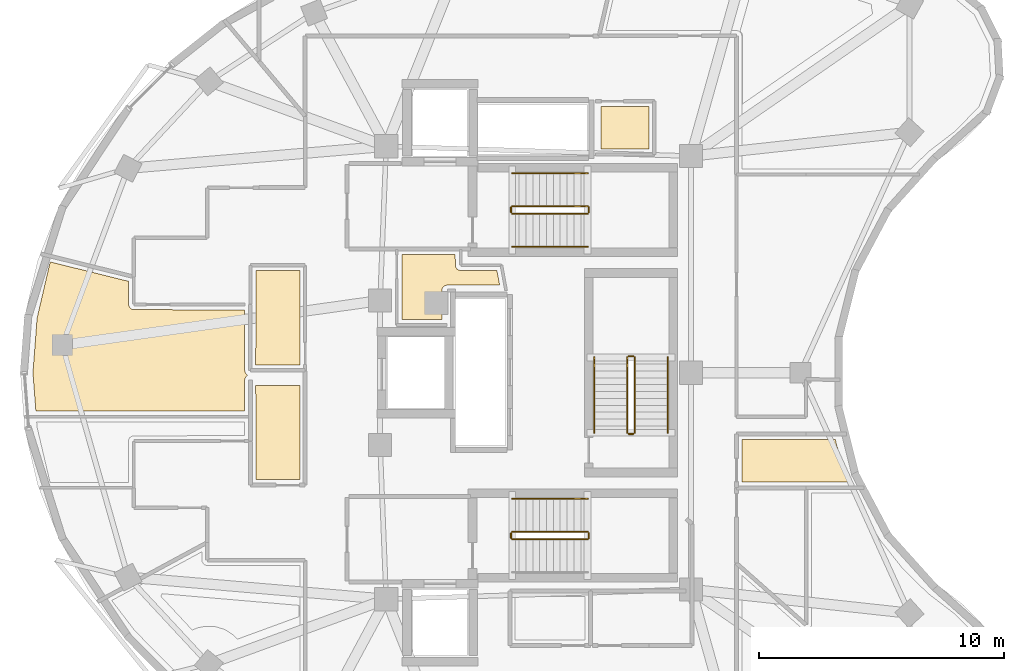
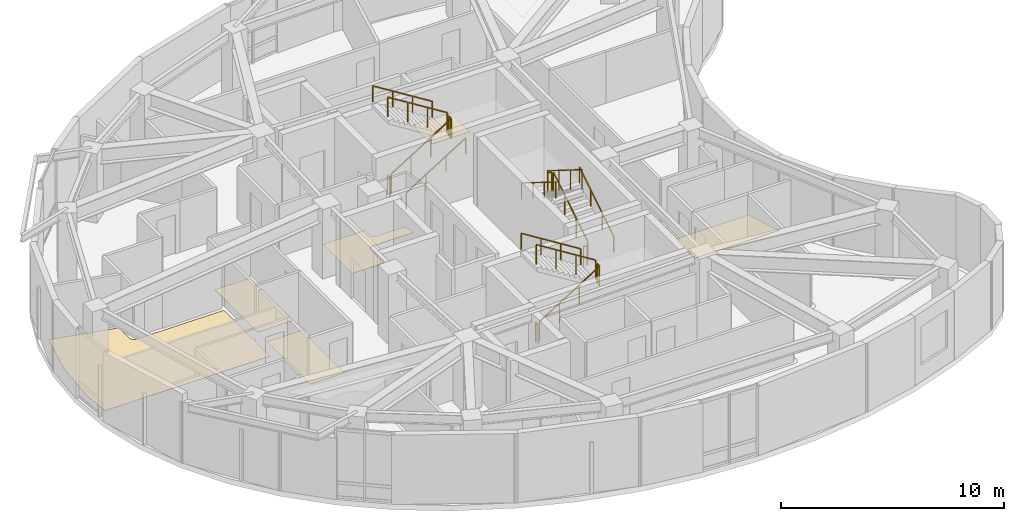
# One storey, part 11 of 12: 17 railings, 6 coverings.
"""IFC4 building model written with IfcOpenShell, lengths in metres."""

from ifc_helpers import new_model, si_unit, direction, frame, origin, origin_2d, place, context, subcontext, project, spatial, polyline, rectangle, outline, extrude, material, layer, layer_set, type_object, element, save


model = new_model("IFC4")

# Units and contexts
model_context = context("Model", 3, precision=1e-05, world=origin(), true_north=direction((0.0, 1.0)))
body_context = subcontext(model_context, "Body", "Model", "MODEL_VIEW")
ifc_project = project(units=[si_unit("LENGTHUNIT", "METRE"), si_unit("AREAUNIT", "SQUARE_METRE"), si_unit("VOLUMEUNIT", "CUBIC_METRE"), si_unit("PLANEANGLEUNIT", "RADIAN"), si_unit("MASSUNIT", "GRAM", prefix="KILO")], contexts=[model_context])

# Site, building, storey
site_placement = place(None, origin())
site = spatial("IfcSite", under=ifc_project, at=site_placement, CompositionType="ELEMENT")
building_placement = place(site_placement, origin())
building = spatial("IfcBuilding", under=site, at=building_placement, Name="Korentha Bioscience Tower", CompositionType="ELEMENT")
storey_placement = place(building_placement, frame((0.0, 0.0, 282.60009765625)))
storey = spatial("IfcBuildingStorey", under=building, at=storey_placement, Name="L65", CompositionType="ELEMENT", Elevation=282.60009765625)

# Coverings
ifc_material_1 = material(Name="Vitrified Porcelain Tile", Category="ceramic")
ifc_layer_1 = layer(ifc_material_1, 0.014892578125, Name="Vitrified Porcelain Tile")
ifc_layer_set_1 = layer_set([ifc_layer_1], Name="Vitrified Porcelain Tile (FL-CER)")
covering_type_1 = type_object("IfcCoveringType", Name="Anti-Slip Ceramic Wet-Room Tile Flooring 15", PredefinedType="FLOORING", material=ifc_layer_set_1)
covering_1_placement = place(storey_placement, origin())
element("IfcCovering", 1, at=covering_1_placement, inside=storey, type_object=covering_type_1, Name="L65 Accessible Staff WC Floor Finish", PredefinedType="FLOORING", context=body_context, shape_type="SweptSolid", body=[
    extrude(outline(polyline([(33.8701171875, 36.1298828125), (33.8701171875, 37.8701171875), (35.830078125, 37.8701171875), (35.830078125, 36.1298828125), (33.8701171875, 36.1298828125)])), origin(), (0.0, 0.0, 1.0), 0.014892578125),
])
covering_2_placement = place(storey_placement, origin())
element("IfcCovering", 2, at=covering_2_placement, inside=storey, type_object=covering_type_1, Name="L65 Reclaimed Bank-2 Accessible Staff WC Floor Finish", PredefinedType="FLOORING", context=body_context, shape_type="SweptSolid", body=[
    extrude(outline(polyline([(19.77001953125, 27.320068359375), (19.780029296875, 31.169921875), (21.570068359375, 31.169921875), (21.570068359375, 27.320068359375), (19.77001953125, 27.320068359375)])), origin(), (0.0, 0.0, 1.0), 0.014892578125),
])

# Railings
ifc_material_2 = material(Name="Stainless Steel 304", Category="steel")
railing_type_1 = type_object("IfcRailingType", Name="Brushed Stainless Stair Handrail 900", PredefinedType="HANDRAIL", material=ifc_material_2)
railing_1_placement = place(storey_placement, frame((30.25, 32.14990234375, 0.1748046875)))
element("IfcRailing", 3, at=railing_1_placement, inside=storey, type_object=railing_type_1, Name="L65 ST-1 stair handrail 1", PredefinedType="HANDRAIL", context=body_context, shape_type="SweptSolid", body=[
    extrude(rectangle(XDim=0.048095703125, YDim=0.048095703125, at=origin_2d()), frame((0.0, 0.0, 0.8759765625), z_axis=(0.847998304005, 0.0, 0.529998940003), x_axis=(0.0, 1.0, 0.0)), (0.0, 0.0, 1.0), 3.632080078125),
    extrude(rectangle(XDim=0.0419921875, YDim=0.0419921875, at=origin_2d()), origin(), (0.0, 0.0, 1.0), 0.851806640625),
    extrude(rectangle(XDim=0.0419921875, YDim=0.0419921875, at=origin_2d()), frame((1.026611328125, 0.0, 0.6416015625)), (0.0, 0.0, 1.0), 0.851806640625),
    extrude(rectangle(XDim=0.0419921875, YDim=0.0419921875, at=origin_2d()), frame((2.053466796875, 0.0, 1.283447265625)), (0.0, 0.0, 1.0), 0.851806640625),
    extrude(rectangle(XDim=0.0419921875, YDim=0.0419921875, at=origin_2d()), frame((3.080078125, 0.0, 1.925048828125)), (0.0, 0.0, 1.0), 0.851806640625),
])
for number, where, name in (
    (4, (33.330078125, 35.14990234375, 2.27490234375), "L65 ST-1 stair handrail 2"),
    (5, (33.330078125, 21.85009765625, 2.27490234375), "L65 ST-2 stair handrail 2"),
):
    element("IfcRailing", number, at=place(storey_placement, frame(where)), inside=storey, type_object=railing_type_1, Name=name, PredefinedType="HANDRAIL", context=body_context, shape_type="SweptSolid", body=[
        extrude(rectangle(XDim=0.048095703125, YDim=0.048095703125, at=origin_2d()), frame((0.0, 0.0, 0.8759765625), z_axis=(-0.847998304005, 0.0, 0.529998940003), x_axis=(0.0, -1.0, 0.0)), (0.0, 0.0, 1.0), 3.632080078125),
        extrude(rectangle(XDim=0.0419921875, YDim=0.0419921875, at=origin_2d()), origin(), (0.0, 0.0, 1.0), 0.851806640625),
        extrude(rectangle(XDim=0.0419921875, YDim=0.0419921875, at=origin_2d()), frame((-1.026611328125, 0.0, 0.6416015625)), (0.0, 0.0, 1.0), 0.851806640625),
        extrude(rectangle(XDim=0.0419921875, YDim=0.0419921875, at=origin_2d()), frame((-2.053466796875, 0.0, 1.283447265625)), (0.0, 0.0, 1.0), 0.851806640625),
        extrude(rectangle(XDim=0.0419921875, YDim=0.0419921875, at=origin_2d()), frame((-3.080078125, 0.0, 1.925048828125)), (0.0, 0.0, 1.0), 0.851806640625),
    ])
railing_2_placement = place(storey_placement, frame((36.60009765625, 24.550048828125, 0.1748046875)))
element("IfcRailing", 6, at=railing_2_placement, inside=storey, type_object=railing_type_1, Name="L65 ST-3 stair handrail 1", PredefinedType="HANDRAIL", context=body_context, shape_type="SweptSolid", body=[
    extrude(rectangle(XDim=0.048095703125, YDim=0.048095703125, at=origin_2d()), frame((0.0, 0.0, 0.8759765625), z_axis=(0.0, 0.847979421464, 0.530029150871), x_axis=(-1.0, 0.0, 0.0)), (0.0, 0.0, 1.0), 3.632080078125),
    extrude(rectangle(XDim=0.0419921875, YDim=0.0419921875, at=origin_2d()), origin(), (0.0, 0.0, 1.0), 0.851806640625),
    extrude(rectangle(XDim=0.0419921875, YDim=0.0419921875, at=origin_2d()), frame((0.0, 1.026611328125, 0.6416015625)), (0.0, 0.0, 1.0), 0.851806640625),
    extrude(rectangle(XDim=0.0419921875, YDim=0.0419921875, at=origin_2d()), frame((0.0, 2.05322265625, 1.283447265625)), (0.0, 0.0, 1.0), 0.851806640625),
    extrude(rectangle(XDim=0.0419921875, YDim=0.0419921875, at=origin_2d()), frame((0.0, 3.079833984375, 1.925048828125)), (0.0, 0.0, 1.0), 0.851806640625),
])
railing_3_placement = place(storey_placement, frame((33.60009765625, 27.6298828125, 2.27490234375)))
element("IfcRailing", 7, at=railing_3_placement, inside=storey, type_object=railing_type_1, Name="L65 ST-3 stair handrail 2", PredefinedType="HANDRAIL", context=body_context, shape_type="SweptSolid", body=[
    extrude(rectangle(XDim=0.048095703125, YDim=0.048095703125, at=origin_2d()), frame((0.0, 0.0, 0.8759765625), z_axis=(0.0, -0.847979421464, 0.530029150871), x_axis=(1.0, 0.0, 0.0)), (0.0, 0.0, 1.0), 3.632080078125),
    extrude(rectangle(XDim=0.0419921875, YDim=0.0419921875, at=origin_2d()), origin(), (0.0, 0.0, 1.0), 0.851806640625),
    extrude(rectangle(XDim=0.0419921875, YDim=0.0419921875, at=origin_2d()), frame((0.0, -1.026611328125, 0.6416015625)), (0.0, 0.0, 1.0), 0.851806640625),
    extrude(rectangle(XDim=0.0419921875, YDim=0.0419921875, at=origin_2d()), frame((0.0, -2.05322265625, 1.283447265625)), (0.0, 0.0, 1.0), 0.851806640625),
    extrude(rectangle(XDim=0.0419921875, YDim=0.0419921875, at=origin_2d()), frame((0.0, -3.079833984375, 1.925048828125)), (0.0, 0.0, 1.0), 0.851806640625),
])
ifc_material_3 = material(Name="Painted Steel S275", Category="steel")
railing_type_2 = type_object("IfcRailingType", Name="Painted Steel Stair Well Guardrail 1100", PredefinedType="GUARDRAIL", material=ifc_material_3)
railing_4_placement = place(storey_placement, frame((30.25, 33.5, 0.1748046875)))
element("IfcRailing", 8, at=railing_4_placement, inside=storey, type_object=railing_type_2, Name="L65 ST-1 stair guard 1", PredefinedType="GUARDRAIL", context=body_context, shape_type="SweptSolid", body=[
    extrude(rectangle(XDim=0.048095703125, YDim=0.048095703125, at=origin_2d()), frame((0.0, 0.0, 1.076171875), z_axis=(0.847998304005, 0.0, 0.529998940003), x_axis=(0.0, 1.0, 0.0)), (0.0, 0.0, 1.0), 3.632080078125),
    extrude(rectangle(XDim=0.0419921875, YDim=0.0419921875, at=origin_2d()), origin(), (0.0, 0.0, 1.0), 1.052001953125),
    extrude(rectangle(XDim=0.0419921875, YDim=0.0419921875, at=origin_2d()), frame((1.026611328125, 0.0, 0.6416015625)), (0.0, 0.0, 1.0), 1.052001953125),
    extrude(rectangle(XDim=0.0419921875, YDim=0.0419921875, at=origin_2d()), frame((2.053466796875, 0.0, 1.283447265625)), (0.0, 0.0, 1.0), 1.052001953125),
    extrude(rectangle(XDim=0.0419921875, YDim=0.0419921875, at=origin_2d()), frame((3.080078125, 0.0, 1.925048828125)), (0.0, 0.0, 1.0), 1.052001953125),
])
railing_5_placement = place(storey_placement, frame((33.3798828125, 33.550048828125, 2.099853515625)))
element("IfcRailing", 9, at=railing_5_placement, inside=storey, type_object=railing_type_2, Name="L65 ST-1 stair guard 2", PredefinedType="GUARDRAIL", context=body_context, shape_type="SweptSolid", body=[
    extrude(rectangle(XDim=0.048095703125, YDim=0.048095703125, at=origin_2d()), frame((0.0, 0.0, 1.076171875), z_axis=(0.0, 1.0, 0.0), x_axis=(-1.0, 0.0, 0.0)), (0.0, 0.0, 1.0), 0.199951171875),
    extrude(rectangle(XDim=0.0419921875, YDim=0.0419921875, at=origin_2d()), origin(), (0.0, 0.0, 1.0), 1.052001953125),
    extrude(rectangle(XDim=0.0419921875, YDim=0.0419921875, at=origin_2d()), frame((0.0, 0.199951171875, 0.0)), (0.0, 0.0, 1.0), 1.052001953125),
])
railing_6_placement = place(storey_placement, frame((33.330078125, 33.800048828125, 2.27490234375)))
element("IfcRailing", 10, at=railing_6_placement, inside=storey, type_object=railing_type_2, Name="L65 ST-1 stair guard 3", PredefinedType="GUARDRAIL", context=body_context, shape_type="SweptSolid", body=[
    extrude(rectangle(XDim=0.048095703125, YDim=0.048095703125, at=origin_2d()), frame((0.0, 0.0, 1.076171875), z_axis=(-0.847998304005, 0.0, 0.529998940003), x_axis=(0.0, -1.0, 0.0)), (0.0, 0.0, 1.0), 3.632080078125),
    extrude(rectangle(XDim=0.0419921875, YDim=0.0419921875, at=origin_2d()), origin(), (0.0, 0.0, 1.0), 1.052001953125),
    extrude(rectangle(XDim=0.0419921875, YDim=0.0419921875, at=origin_2d()), frame((-1.026611328125, 0.0, 0.6416015625)), (0.0, 0.0, 1.0), 1.052001953125),
    extrude(rectangle(XDim=0.0419921875, YDim=0.0419921875, at=origin_2d()), frame((-2.053466796875, 0.0, 1.283447265625)), (0.0, 0.0, 1.0), 1.052001953125),
    extrude(rectangle(XDim=0.0419921875, YDim=0.0419921875, at=origin_2d()), frame((-3.080078125, 0.0, 1.925048828125)), (0.0, 0.0, 1.0), 1.052001953125),
])
railing_7_placement = place(storey_placement, frame((30.199951171875, 33.550048828125, 0.0)))
element("IfcRailing", 11, at=railing_7_placement, inside=storey, type_object=railing_type_2, Name="L65 ST-1 stair guard 4", PredefinedType="GUARDRAIL", context=body_context, shape_type="SweptSolid", body=[
    extrude(rectangle(XDim=0.048095703125, YDim=0.048095703125, at=origin_2d()), frame((0.0, 0.0, 1.076171875), z_axis=(0.0, 1.0, 0.0), x_axis=(-1.0, 0.0, 0.0)), (0.0, 0.0, 1.0), 0.199951171875),
    extrude(rectangle(XDim=0.0419921875, YDim=0.0419921875, at=origin_2d()), origin(), (0.0, 0.0, 1.0), 1.052001953125),
    extrude(rectangle(XDim=0.0419921875, YDim=0.0419921875, at=origin_2d()), frame((0.0, 0.199951171875, 0.0)), (0.0, 0.0, 1.0), 1.052001953125),
])
railing_8_placement = place(storey_placement, frame((30.25, 20.199951171875, 0.1748046875)))
element("IfcRailing", 12, at=railing_8_placement, inside=storey, type_object=railing_type_2, Name="L65 ST-2 stair guard 1", PredefinedType="GUARDRAIL", context=body_context, shape_type="SweptSolid", body=[
    extrude(rectangle(XDim=0.048095703125, YDim=0.048095703125, at=origin_2d()), frame((0.0, 0.0, 1.076171875), z_axis=(0.847998304005, 0.0, 0.529998940003), x_axis=(0.0, 1.0, 0.0)), (0.0, 0.0, 1.0), 3.632080078125),
    extrude(rectangle(XDim=0.0419921875, YDim=0.0419921875, at=origin_2d()), origin(), (0.0, 0.0, 1.0), 1.052001953125),
    extrude(rectangle(XDim=0.0419921875, YDim=0.0419921875, at=origin_2d()), frame((1.026611328125, 0.0, 0.6416015625)), (0.0, 0.0, 1.0), 1.052001953125),
    extrude(rectangle(XDim=0.0419921875, YDim=0.0419921875, at=origin_2d()), frame((2.053466796875, 0.0, 1.283447265625)), (0.0, 0.0, 1.0), 1.052001953125),
    extrude(rectangle(XDim=0.0419921875, YDim=0.0419921875, at=origin_2d()), frame((3.080078125, 0.0, 1.925048828125)), (0.0, 0.0, 1.0), 1.052001953125),
])
railing_9_placement = place(storey_placement, frame((33.3798828125, 20.25, 2.099853515625)))
element("IfcRailing", 13, at=railing_9_placement, inside=storey, type_object=railing_type_2, Name="L65 ST-2 stair guard 2", PredefinedType="GUARDRAIL", context=body_context, shape_type="SweptSolid", body=[
    extrude(rectangle(XDim=0.048095703125, YDim=0.048095703125, at=origin_2d()), frame((0.0, 0.0, 1.076171875), z_axis=(0.0, 1.0, 0.0), x_axis=(-1.0, 0.0, 0.0)), (0.0, 0.0, 1.0), 0.199951171875),
    extrude(rectangle(XDim=0.0419921875, YDim=0.0419921875, at=origin_2d()), origin(), (0.0, 0.0, 1.0), 1.052001953125),
    extrude(rectangle(XDim=0.0419921875, YDim=0.0419921875, at=origin_2d()), frame((0.0, 0.199951171875, 0.0)), (0.0, 0.0, 1.0), 1.052001953125),
])
railing_10_placement = place(storey_placement, frame((33.330078125, 20.5, 2.27490234375)))
element("IfcRailing", 14, at=railing_10_placement, inside=storey, type_object=railing_type_2, Name="L65 ST-2 stair guard 3", PredefinedType="GUARDRAIL", context=body_context, shape_type="SweptSolid", body=[
    extrude(rectangle(XDim=0.048095703125, YDim=0.048095703125, at=origin_2d()), frame((0.0, 0.0, 1.076171875), z_axis=(-0.847998304005, 0.0, 0.529998940003), x_axis=(0.0, -1.0, 0.0)), (0.0, 0.0, 1.0), 3.632080078125),
    extrude(rectangle(XDim=0.0419921875, YDim=0.0419921875, at=origin_2d()), origin(), (0.0, 0.0, 1.0), 1.052001953125),
    extrude(rectangle(XDim=0.0419921875, YDim=0.0419921875, at=origin_2d()), frame((-1.026611328125, 0.0, 0.6416015625)), (0.0, 0.0, 1.0), 1.052001953125),
    extrude(rectangle(XDim=0.0419921875, YDim=0.0419921875, at=origin_2d()), frame((-2.053466796875, 0.0, 1.283447265625)), (0.0, 0.0, 1.0), 1.052001953125),
    extrude(rectangle(XDim=0.0419921875, YDim=0.0419921875, at=origin_2d()), frame((-3.080078125, 0.0, 1.925048828125)), (0.0, 0.0, 1.0), 1.052001953125),
])
railing_11_placement = place(storey_placement, frame((30.199951171875, 20.25, 0.0)))
element("IfcRailing", 15, at=railing_11_placement, inside=storey, type_object=railing_type_2, Name="L65 ST-2 stair guard 4", PredefinedType="GUARDRAIL", context=body_context, shape_type="SweptSolid", body=[
    extrude(rectangle(XDim=0.048095703125, YDim=0.048095703125, at=origin_2d()), frame((0.0, 0.0, 1.076171875), z_axis=(0.0, 1.0, 0.0), x_axis=(-1.0, 0.0, 0.0)), (0.0, 0.0, 1.0), 0.199951171875),
    extrude(rectangle(XDim=0.0419921875, YDim=0.0419921875, at=origin_2d()), origin(), (0.0, 0.0, 1.0), 1.052001953125),
    extrude(rectangle(XDim=0.0419921875, YDim=0.0419921875, at=origin_2d()), frame((0.0, 0.199951171875, 0.0)), (0.0, 0.0, 1.0), 1.052001953125),
])
railing_12_placement = place(storey_placement, frame((35.25, 24.550048828125, 0.1748046875)))
element("IfcRailing", 16, at=railing_12_placement, inside=storey, type_object=railing_type_2, Name="L65 ST-3 stair guard 1", PredefinedType="GUARDRAIL", context=body_context, shape_type="SweptSolid", body=[
    extrude(rectangle(XDim=0.048095703125, YDim=0.048095703125, at=origin_2d()), frame((0.0, 0.0, 1.076171875), z_axis=(0.0, 0.847979421464, 0.530029150871), x_axis=(-1.0, 0.0, 0.0)), (0.0, 0.0, 1.0), 3.632080078125),
    extrude(rectangle(XDim=0.0419921875, YDim=0.0419921875, at=origin_2d()), origin(), (0.0, 0.0, 1.0), 1.052001953125),
    extrude(rectangle(XDim=0.0419921875, YDim=0.0419921875, at=origin_2d()), frame((0.0, 1.026611328125, 0.6416015625)), (0.0, 0.0, 1.0), 1.052001953125),
    extrude(rectangle(XDim=0.0419921875, YDim=0.0419921875, at=origin_2d()), frame((0.0, 2.05322265625, 1.283447265625)), (0.0, 0.0, 1.0), 1.052001953125),
    extrude(rectangle(XDim=0.0419921875, YDim=0.0419921875, at=origin_2d()), frame((0.0, 3.079833984375, 1.925048828125)), (0.0, 0.0, 1.0), 1.052001953125),
])
railing_13_placement = place(storey_placement, frame((35.199951171875, 27.679931640625, 2.099853515625)))
element("IfcRailing", 17, at=railing_13_placement, inside=storey, type_object=railing_type_2, Name="L65 ST-3 stair guard 2", PredefinedType="GUARDRAIL", context=body_context, shape_type="SweptSolid", body=[
    extrude(rectangle(XDim=0.048095703125, YDim=0.048095703125, at=origin_2d()), frame((0.0, 0.0, 1.076171875), z_axis=(-1.0, 0.0, 0.0), x_axis=(0.0, -1.0, 0.0)), (0.0, 0.0, 1.0), 0.199951171875),
    extrude(rectangle(XDim=0.0419921875, YDim=0.0419921875, at=origin_2d()), origin(), (0.0, 0.0, 1.0), 1.052001953125),
    extrude(rectangle(XDim=0.0419921875, YDim=0.0419921875, at=origin_2d()), frame((-0.199951171875, 0.0, 0.0)), (0.0, 0.0, 1.0), 1.052001953125),
])
railing_14_placement = place(storey_placement, frame((34.949951171875, 27.6298828125, 2.27490234375)))
element("IfcRailing", 18, at=railing_14_placement, inside=storey, type_object=railing_type_2, Name="L65 ST-3 stair guard 3", PredefinedType="GUARDRAIL", context=body_context, shape_type="SweptSolid", body=[
    extrude(rectangle(XDim=0.048095703125, YDim=0.048095703125, at=origin_2d()), frame((0.0, 0.0, 1.076171875), z_axis=(0.0, -0.847979421464, 0.530029150871), x_axis=(1.0, 0.0, 0.0)), (0.0, 0.0, 1.0), 3.632080078125),
    extrude(rectangle(XDim=0.0419921875, YDim=0.0419921875, at=origin_2d()), origin(), (0.0, 0.0, 1.0), 1.052001953125),
    extrude(rectangle(XDim=0.0419921875, YDim=0.0419921875, at=origin_2d()), frame((0.0, -1.026611328125, 0.6416015625)), (0.0, 0.0, 1.0), 1.052001953125),
    extrude(rectangle(XDim=0.0419921875, YDim=0.0419921875, at=origin_2d()), frame((0.0, -2.05322265625, 1.283447265625)), (0.0, 0.0, 1.0), 1.052001953125),
    extrude(rectangle(XDim=0.0419921875, YDim=0.0419921875, at=origin_2d()), frame((0.0, -3.079833984375, 1.925048828125)), (0.0, 0.0, 1.0), 1.052001953125),
])
railing_15_placement = place(storey_placement, frame((35.199951171875, 24.5, 0.0)))
element("IfcRailing", 19, at=railing_15_placement, inside=storey, type_object=railing_type_2, Name="L65 ST-3 stair guard 4", PredefinedType="GUARDRAIL", context=body_context, shape_type="SweptSolid", body=[
    extrude(rectangle(XDim=0.048095703125, YDim=0.048095703125, at=origin_2d()), frame((0.0, 0.0, 1.076171875), z_axis=(-1.0, 0.0, 0.0), x_axis=(0.0, -1.0, 0.0)), (0.0, 0.0, 1.0), 0.199951171875),
    extrude(rectangle(XDim=0.0419921875, YDim=0.0419921875, at=origin_2d()), origin(), (0.0, 0.0, 1.0), 1.052001953125),
    extrude(rectangle(XDim=0.0419921875, YDim=0.0419921875, at=origin_2d()), frame((-0.199951171875, 0.0, 0.0)), (0.0, 0.0, 1.0), 1.052001953125),
])

# Coverings
ifc_material_4 = material(Name="Chemical-Resistant Epoxy Resin", Category="polymer")
ifc_layer_2 = layer(ifc_material_4, 0.011962890625, Name="Chemical-Resistant Epoxy Resin")
ifc_layer_set_2 = layer_set([ifc_layer_2], Name="Chemical-Resistant Epoxy Resin (FL-EPX)")
covering_type_2 = type_object("IfcCoveringType", Name="Seamless Epoxy Laboratory Flooring 12", PredefinedType="FLOORING", material=ifc_layer_set_2)
covering_3_placement = place(storey_placement, origin())
element("IfcCovering", 20, at=covering_3_placement, inside=storey, type_object=covering_type_2, Name="L65 Reclaimed Bank-2 Electrical Switchgear Store Floor Finish", PredefinedType="FLOORING", context=body_context, shape_type="SweptSolid", body=[
    extrude(outline(polyline([(21.570068359375, 22.6298828125), (19.780029296875, 22.6298828125), (19.77099609375, 26.47998046875), (21.570068359375, 26.47998046875), (21.570068359375, 22.6298828125)])), origin(), (0.0, 0.0, 1.0), 0.011962890625),
])
covering_4_placement = place(storey_placement, origin())
element("IfcCovering", 21, at=covering_4_placement, inside=storey, type_object=covering_type_2, Name="L65 Proteomics Crystallography Laboratory 07 Floor Finish", PredefinedType="FLOORING", context=body_context, shape_type="SweptSolid", body=[
    extrude(outline(polyline([(39.6298828125, 24.278076171875), (43.44970703125, 24.27783203125), (43.490478515625, 24.0791015625), (43.91064453125, 22.747314453125), (44.00634765625, 22.528076171875), (39.6298828125, 22.528076171875), (39.6298828125, 24.278076171875)])), origin(), (0.0, 0.0, 1.0), 0.011962890625),
])
covering_5_placement = place(storey_placement, origin())
element("IfcCovering", 22, at=covering_5_placement, inside=storey, type_object=covering_type_2, Name="L65 Research Group Leader Office 11 Floor Finish", PredefinedType="FLOORING", context=body_context, shape_type="SweptSolid", body=[
    extrude(outline(polyline([(27.60009765625, 30.580078125), (27.522216796875, 30.56640625), (27.44580078125, 30.520751953125), (27.402587890625, 30.4677734375), (27.37255859375, 30.38427734375), (27.3701171875, 29.169921875), (25.75, 29.169921875), (25.75, 31.820068359375), (27.919921875, 31.820068359375), (27.922607421875, 31.36572265625), (27.952880859375, 31.28125), (28.013427734375, 31.215087890625), (28.13916015625, 31.17041015625), (29.62451171875, 31.169921875), (29.732666015625, 30.580078125), (27.60009765625, 30.580078125)])), origin(), (0.0, 0.0, 1.0), 0.011962890625),
])
covering_6_placement = place(storey_placement, origin())
element("IfcCovering", 23, at=covering_6_placement, inside=storey, type_object=covering_type_2, Name="L65 Colloquium Huddle Room 13 Floor Finish", PredefinedType="FLOORING", context=body_context, shape_type="SweptSolid", body=[
    extrude(outline(polyline([(11.350830078125, 31.4287109375), (11.38818359375, 31.5234375), (14.568115234375, 30.736572265625), (14.572509765625, 29.765869140625), (14.6298828125, 29.645263671875), (14.74462890625, 29.576904296875), (19.320068359375, 29.566650390625), (19.3203125, 27.089111328125), (19.35302734375, 26.981201171875), (19.436767578125, 26.89990234375), (19.35302734375, 26.818603515625), (19.3203125, 26.7119140625), (19.320068359375, 25.427978515625), (10.79052734375, 25.427978515625), (10.66943359375, 27.0), (10.84033203125, 29.2294921875), (11.350830078125, 31.4287109375)])), origin(), (0.0, 0.0, 1.0), 0.011962890625),
])

save(model, "model.ifc")
